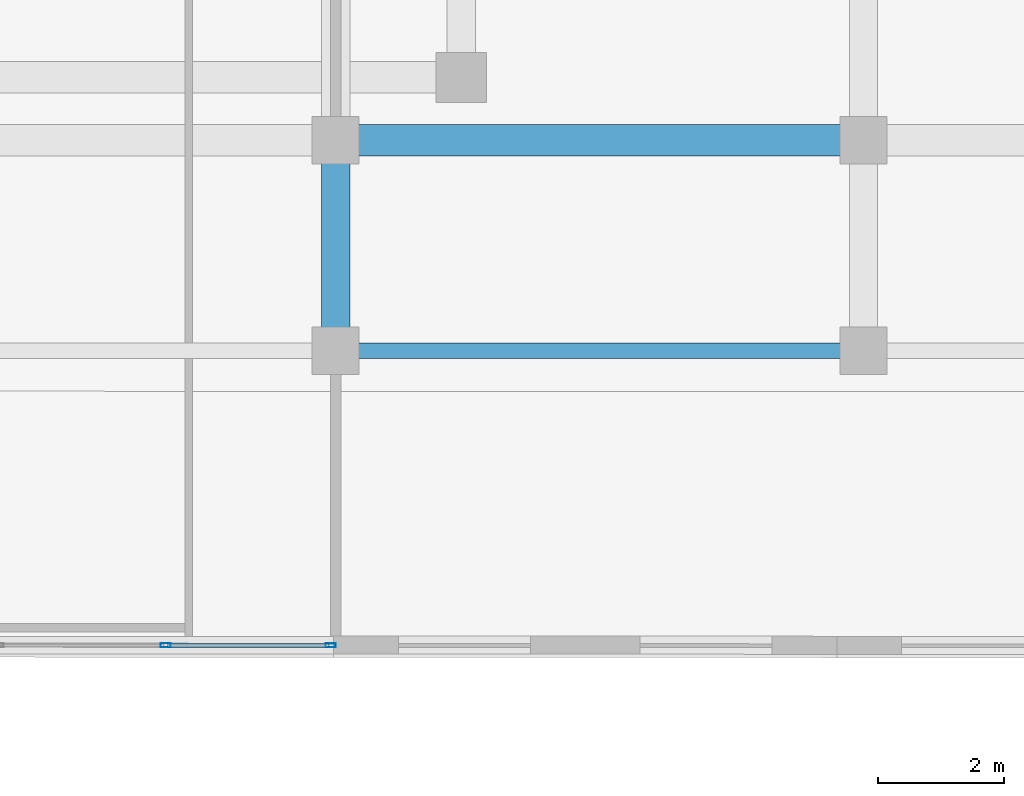
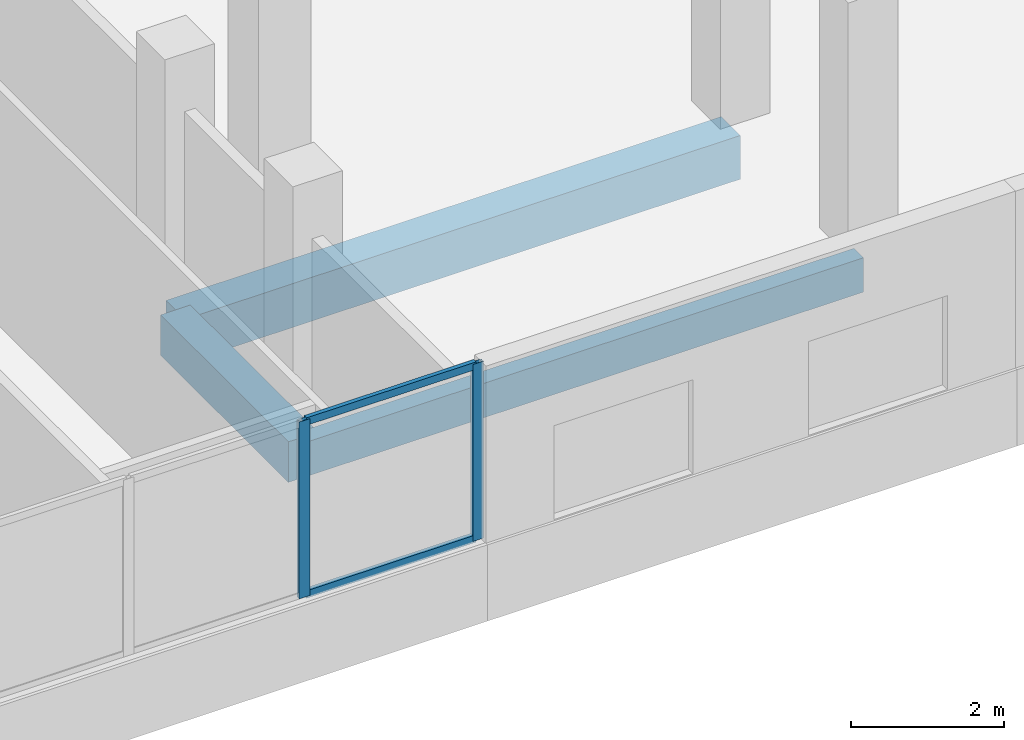
# One storey, part 44 of 101: 4 members, 3 beams, 1 element without a shape of its own.
"""IFC4 building model written with IfcOpenShell, lengths in metres."""

from ifc_helpers import new_model, si_unit, direction, frame, origin, origin_2d, place, context, subcontext, project, spatial, rectangle, hollow_rectangle, extrude, material, material_profile, profile_set, type_object, element, aggregate, save


model = new_model("IFC4")

# Units and contexts
model_context = context("Model", 3, precision=1e-05, world=origin(), true_north=direction((0.0, 1.0)))
body_context = subcontext(model_context, "Body", "Model", "MODEL_VIEW")
ifc_project = project(units=[si_unit("LENGTHUNIT", "METRE"), si_unit("AREAUNIT", "SQUARE_METRE"), si_unit("VOLUMEUNIT", "CUBIC_METRE"), si_unit("PLANEANGLEUNIT", "RADIAN"), si_unit("MASSUNIT", "GRAM", prefix="KILO")], contexts=[model_context])

# Site, building, storey
site_placement = place(None, origin())
site = spatial("IfcSite", under=ifc_project, at=site_placement, CompositionType="ELEMENT")
building_placement = place(site_placement, origin())
building = spatial("IfcBuilding", under=site, at=building_placement, Name="Selatvlak General Hospital", CompositionType="ELEMENT")
storey_placement = place(building_placement, frame((0.0, 0.0, 19.199951171875)))
storey = spatial("IfcBuildingStorey", under=building, at=storey_placement, Name="L04", CompositionType="ELEMENT", Elevation=19.199951171875)

# Beams
ifc_material_1 = material(Name="Concrete C40/50", Category="concrete")
ifc_material_profile_1 = material_profile(ifc_material_1, rectangle(XDim=0.5, YDim=0.699951171875, at=origin_2d()), Name="RC-BM 500x700")
ifc_profile_set_1 = profile_set([ifc_material_profile_1], Name="Concrete C40/50")
beam_type_1 = type_object("IfcBeamType", Name="BM-G03", PredefinedType="BEAM", material=ifc_profile_set_1)
beam_1_placement = place(storey_placement, frame((81.60009765625, 92.0, -0.655029296875), z_axis=(1.0, 0.0, 0.0), x_axis=(0.0, 1.0, 0.0)))
element("IfcBeam", 1, at=beam_1_placement, inside=storey, type_object=beam_type_1, Name="Beam BMR-L04-1562", PredefinedType="BEAM", context=body_context, shape_type="SweptSolid", body=[
    extrude(rectangle(XDim=0.5, YDim=0.699951171875, at=origin_2d()), origin(), (0.0, 0.0, 1.0), 8.39990234375),
])
ifc_material_profile_2 = material_profile(ifc_material_1, rectangle(XDim=0.449951171875, YDim=0.64990234375, at=origin_2d()), Name="RC-BM 450x650")
ifc_profile_set_2 = profile_set([ifc_material_profile_2], Name="Concrete C40/50")
beam_type_2 = type_object("IfcBeamType", Name="BM-G04", PredefinedType="BEAM", material=ifc_profile_set_2)
beam_2_placement = place(storey_placement, frame((81.60009765625, 88.64990234375, -0.6298828125), z_axis=(0.0, 1.0, 0.0), x_axis=(-1.0, 0.0, 0.0)))
element("IfcBeam", 2, at=beam_2_placement, inside=storey, type_object=beam_type_2, Name="Beam BMR-L04-1680", PredefinedType="BEAM", context=body_context, shape_type="SweptSolid", body=[
    extrude(rectangle(XDim=0.449951171875, YDim=0.64990234375, at=origin_2d()), origin(), (0.0, 0.0, 1.0), 3.35009765625),
])
ifc_material_profile_3 = material_profile(ifc_material_1, rectangle(XDim=0.25, YDim=0.550048828125, at=origin_2d()), Name="RC-SP 250x550")
ifc_profile_set_3 = profile_set([ifc_material_profile_3], Name="Concrete C40/50")
beam_type_3 = type_object("IfcBeamType", Name="BM-SP2", PredefinedType="SPANDREL", material=ifc_profile_set_3)
beam_3_placement = place(storey_placement, frame((81.60009765625, 88.64990234375, -0.579833984375), z_axis=(1.0, 0.0, 0.0), x_axis=(0.0, 1.0, 0.0)))
element("IfcBeam", 3, at=beam_3_placement, inside=storey, type_object=beam_type_3, Name="Beam BMR-L04-1542", PredefinedType="SPANDREL", context=body_context, shape_type="SweptSolid", body=[
    extrude(rectangle(XDim=0.25, YDim=0.550048828125, at=origin_2d()), origin(), (0.0, 0.0, 1.0), 8.39990234375),
])

# Curtain wall, members
ifc_material_2 = material(Name="Solar-control Low-E double glazing", Category="glass")
curtain_wall_type = type_object("IfcCurtainWallType", Name="CW-CW-02", PredefinedType="USERDEFINED", material=ifc_material_2)
curtain_wall_placement = place(storey_placement, origin())
curtain_wall = element("IfcCurtainWall", 4, at=curtain_wall_placement, inside=storey, type_object=curtain_wall_type, Name="Glazed facade curtain wall CW-L04-0511", ObjectType="UNITISED CURTAIN WALL", PredefinedType="USERDEFINED")
ifc_material_3 = material(Name="Dark anodised aluminium mullion", Category="aluminium")
ifc_material_profile_4 = material_profile(ifc_material_3, hollow_rectangle(XDim=0.06494140625, YDim=0.159912109375, WallThickness=0.00390625, at=origin_2d()), Name="AL-MUL 65x160x4")
ifc_profile_set_4 = profile_set([ifc_material_profile_4], Name="Dark anodised aluminium mullion")
member_type_1 = type_object("IfcMemberType", Name="CWM-01", PredefinedType="MULLION", material=ifc_profile_set_4)
member_1_placement = place(storey_placement, frame((81.5205078125, 83.9609375, 0.93994140625), z_axis=(0.0, 0.0, 1.0), x_axis=(-0.000626723363, -0.999999803609, 0.0)))
member_1 = element("IfcMember", 5, at=member_1_placement, type_object=member_type_1, Name="CW-02 mullion 1", PredefinedType="MULLION", context=body_context, shape_type="SweptSolid", body=[
    extrude(hollow_rectangle(XDim=0.06494140625, YDim=0.159912109375, WallThickness=0.00390625, at=origin_2d()), origin(), (0.0, 0.0, 1.0), 2.830078125),
])
member_2_placement = place(storey_placement, frame((78.8935546875, 83.962646484375, 0.93994140625), z_axis=(0.0, 0.0, 1.0), x_axis=(-0.000626723363, -0.999999803609, 0.0)))
member_2 = element("IfcMember", 6, at=member_2_placement, type_object=member_type_1, Name="CW-02 mullion 2", PredefinedType="MULLION", context=body_context, shape_type="SweptSolid", body=[
    extrude(hollow_rectangle(XDim=0.06494140625, YDim=0.159912109375, WallThickness=0.00390625, at=origin_2d()), origin(), (0.0, 0.0, 1.0), 2.830078125),
])
ifc_material_profile_5 = material_profile(ifc_material_3, hollow_rectangle(XDim=0.06494140625, YDim=0.1201171875, WallThickness=0.00390625, at=origin_2d()), Name="AL-TRN 65x120x4")
ifc_profile_set_5 = profile_set([ifc_material_profile_5], Name="Dark anodised aluminium mullion")
member_type_2 = type_object("IfcMemberType", Name="CWT-01", PredefinedType="USERDEFINED", material=ifc_profile_set_5)
member_3_placement = place(storey_placement, frame((81.488037109375, 83.9609375, 0.97265625), z_axis=(-0.999999777481, 0.000667111259, 0.0), x_axis=(-0.000667111259, -0.999999777481, 0.0)))
member_3 = element("IfcMember", 7, at=member_3_placement, type_object=member_type_2, Name="CW-02 transom 1.1", ObjectType="TRANSOM", PredefinedType="USERDEFINED", context=body_context, shape_type="SweptSolid", body=[
    extrude(hollow_rectangle(XDim=0.06494140625, YDim=0.1201171875, WallThickness=0.00390625, at=origin_2d()), origin(), (0.0, 0.0, 1.0), 2.561767578125),
])
member_4_placement = place(storey_placement, frame((81.488037109375, 83.9609375, 3.737548828125), z_axis=(-0.999999777481, 0.000667111259, 0.0), x_axis=(-0.000667111259, -0.999999777481, 0.0)))
member_4 = element("IfcMember", 8, at=member_4_placement, type_object=member_type_2, Name="CW-02 transom 1.2", ObjectType="TRANSOM", PredefinedType="USERDEFINED", context=body_context, shape_type="SweptSolid", body=[
    extrude(hollow_rectangle(XDim=0.06494140625, YDim=0.1201171875, WallThickness=0.00390625, at=origin_2d()), origin(), (0.0, 0.0, 1.0), 2.561767578125),
])
aggregate(curtain_wall, [member_1, member_2, member_3, member_4])

save(model, "model.ifc")
